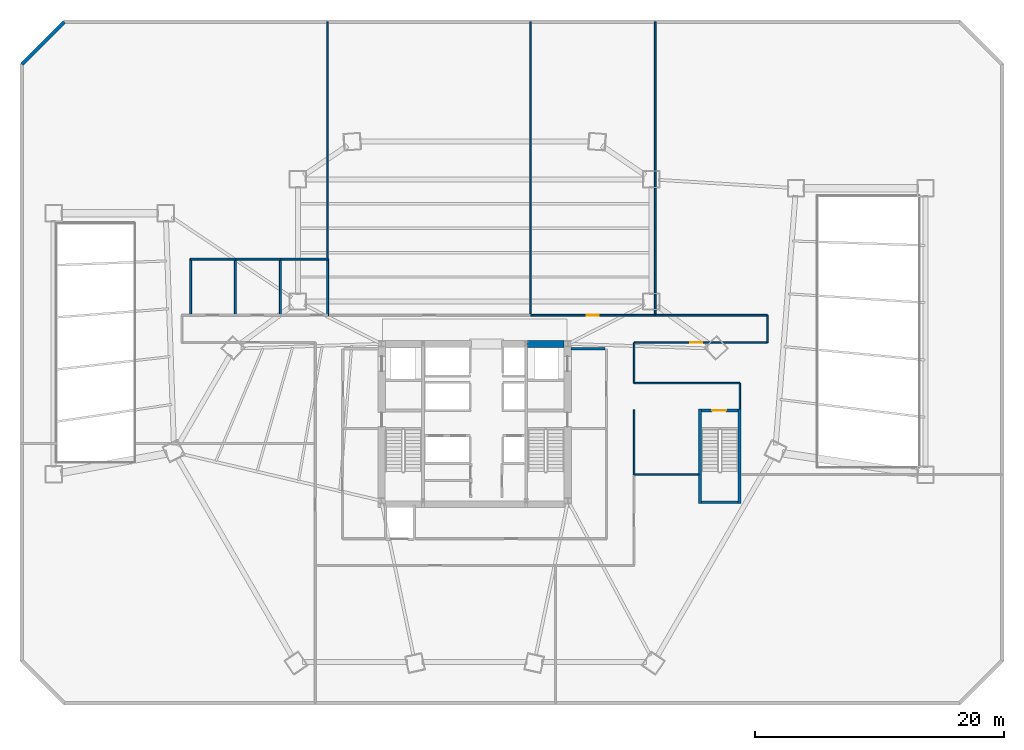
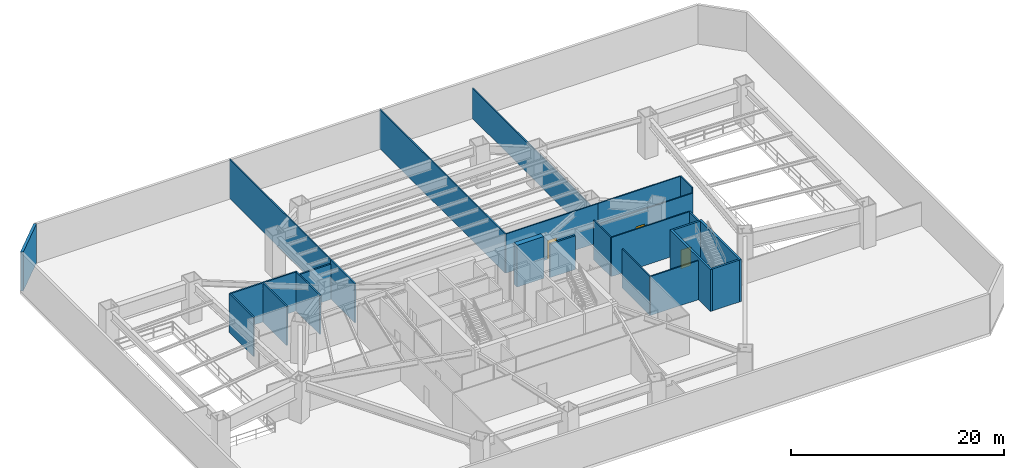
# One storey, part 7 of 11: 26 walls, 3 doors, 3 openings.
"""IFC4 building model written with IfcOpenShell, lengths in metres."""

import ifcopenshell
import ifcopenshell.guid

model = None  # the IFC model being written
_history = None  # IfcOwnerHistory: only IFC2X3 demands one
_inside = {}  # id of a spatial element -> (the spatial element, [elements in it])
_under = {}  # id of a project, library or spatial element -> (it, [spatial elements below it])
_declared = {}  # id of a project -> (the project, [libraries it declares])
_typed = {}  # id of a type object -> (the type object, [elements of that type])
_made_of = {}  # id of a material, layer set ... -> (it, [elements and type objects made of it])


def new_model(schema):
    """Start an empty IFC model of exactly this schema.

    Asked for "IFC4X3", IfcOpenShell would pick the latest addendum, in which some entities
    have other attributes; the version numbers below select the first issue.
    IFC2X3 requires an IfcOwnerHistory on every rooted entity: one is made here for all.
    """
    global model, _history
    if schema == "IFC4X3":
        model = ifcopenshell.file(schema_version=(4, 3, 0, 0))
    else:
        model = ifcopenshell.file(schema=schema)
    _inside.clear()
    _under.clear()
    _declared.clear()
    _typed.clear()
    _made_of.clear()
    _history = None
    if model.schema == "IFC2X3":
        org = make("IfcOrganization", Name="unknown")
        user = make(
            "IfcPersonAndOrganization",
            ThePerson=make("IfcPerson", FamilyName="unknown"),
            TheOrganization=org,
        )
        app = make(
            "IfcApplication",
            ApplicationDeveloper=org,
            Version="unknown",
            ApplicationFullName="unknown",
            ApplicationIdentifier="unknown",
        )
        _history = make(
            "IfcOwnerHistory",
            OwningUser=user,
            OwningApplication=app,
            ChangeAction="ADDED",
            CreationDate=0,
        )
    return model


def make(cls, **values):
    """One entity of the class cls with the attributes given. An attribute that is None is left unset."""
    return model.create_entity(
        cls, **{name: value for name, value in values.items() if value is not None}
    )


def rooted(cls, **values):
    """An entity with a GlobalId (a new one), such as an element, a storey or a relation."""
    return make(cls, GlobalId=ifcopenshell.guid.new(), OwnerHistory=_history, **values)


def si_unit(unit_type, name, prefix=None):
    """IfcSIUnit, for example si_unit("LENGTHUNIT", "METRE", prefix="MILLI")."""
    return make("IfcSIUnit", UnitType=unit_type, Prefix=prefix, Name=name)


def assignment(units):
    """IfcUnitAssignment: the units of a project."""
    return None if units is None else make("IfcUnitAssignment", Units=units)


def point(xyz):
    """IfcCartesianPoint."""
    return None if xyz is None else make("IfcCartesianPoint", Coordinates=xyz)


def direction(xyz):
    """IfcDirection."""
    return None if xyz is None else make("IfcDirection", DirectionRatios=xyz)


def frame(location, z_axis=None, x_axis=None):
    """IfcAxis2Placement3D, a coordinate frame: its origin and axes. An axis left out is left unset."""
    return make(
        "IfcAxis2Placement3D",
        Location=point(location),
        Axis=direction(z_axis),
        RefDirection=direction(x_axis),
    )


def frame_2d(location, x_axis=None):
    """IfcAxis2Placement2D, a coordinate frame in the plane: its origin and x axis."""
    return make(
        "IfcAxis2Placement2D", Location=point(location), RefDirection=direction(x_axis)
    )


def origin():
    """The frame at (0, 0, 0) with its axes left unset."""
    return frame((0.0, 0.0, 0.0))


def place(relative_to, where):
    """IfcLocalPlacement: puts the frame where relative to a parent placement (None: the world)."""
    return make(
        "IfcLocalPlacement", PlacementRelTo=relative_to, RelativePlacement=where
    )


def context(
    kind, dimensions, precision=None, world=None, true_north=None, identifier=None
):
    """IfcGeometricRepresentationContext, for example the 3D "Model" context."""
    return make(
        "IfcGeometricRepresentationContext",
        ContextIdentifier=identifier,
        ContextType=kind,
        CoordinateSpaceDimension=dimensions,
        Precision=precision,
        WorldCoordinateSystem=world,
        TrueNorth=true_north,
    )


def subcontext(parent, identifier, kind, view, scale=None):
    """IfcGeometricRepresentationSubContext, for example "Body" below "Model"."""
    return make(
        "IfcGeometricRepresentationSubContext",
        ContextIdentifier=identifier,
        ContextType=kind,
        ParentContext=parent,
        TargetScale=scale,
        TargetView=view,
    )


def project(units=None, contexts=None):
    """IfcProject with its units and contexts."""
    return rooted(
        "IfcProject",
        Name="project",
        RepresentationContexts=contexts,
        UnitsInContext=assignment(units),
    )


def spatial(cls, under=None, at=None, **own):
    """A site, building, storey or space (cls), placed at a placement, below another one or the project."""
    s = rooted(cls, ObjectPlacement=at, **own)
    if under is not None:
        _under.setdefault(under.id(), (under, []))[1].append(s)
    return s


def profile(cls, at=None, kind="AREA", **sizes):
    """A parametric profile (cls). Its sizes go by their IFC names, for example OverallWidth=200.0."""
    return make(cls, ProfileType=kind, Position=at, **sizes)


def rectangle(**sizes):
    """IfcRectangleProfileDef."""
    return profile("IfcRectangleProfileDef", **sizes)


def extrude(swept, where, along, depth):
    """IfcExtrudedAreaSolid: the profile swept, set in the frame where, extruded along a direction by depth."""
    return make(
        "IfcExtrudedAreaSolid",
        SweptArea=swept,
        Position=where,
        ExtrudedDirection=direction(along),
        Depth=depth,
    )


def shape(context_of_items, identifier, shape_type, items):
    """IfcShapeRepresentation: the items that make up one representation, for example the "Body"."""
    return make(
        "IfcShapeRepresentation",
        ContextOfItems=context_of_items,
        RepresentationIdentifier=identifier,
        RepresentationType=shape_type,
        Items=items,
    )


def material(Name=None, Category=None):
    """IfcMaterial."""
    return make("IfcMaterial", Name=Name, Category=Category)


def layer(
    of_material, thickness, ventilated=None, Name=None, Category=None, Priority=None
):
    """IfcMaterialLayer: one layer of a wall or slab, of a material (None: an air gap)."""
    return make(
        "IfcMaterialLayer",
        Material=of_material,
        LayerThickness=thickness,
        IsVentilated=ventilated,
        Name=Name,
        Category=Category,
        Priority=Priority,
    )


def layer_set(layers, Name=None):
    """IfcMaterialLayerSet."""
    return make("IfcMaterialLayerSet", MaterialLayers=layers, LayerSetName=Name)


def made_of(thing, what):
    """Note that an element or type object is made of a material, layer set ...; save() writes the relation."""
    if what is not None:
        _made_of.setdefault(what.id(), (what, []))[1].append(thing)
    return thing


def type_object(cls, material=None, **own):
    """A type object (cls), such as IfcWallType, which elements share."""
    return made_of(rooted(cls, **own), material)


def element(
    cls,
    number,
    at=None,
    inside=None,
    cuts=None,
    type_object=None,
    material=None,
    context=None,
    identifier="Body",
    shape_type=None,
    held_by="IfcProductDefinitionShape",
    body=None,
    shapes=None,
    **own,
):
    """One element of the class cls, such as IfcWall. Its Tag is "e" and its number.

    at: its placement. inside: the storey or other place that contains it. cuts: it is an
    opening in that element (IfcRelVoidsElement). A single representation is given by context,
    identifier, shape_type and body (its items); several are given by shapes. held_by: the class
    of the entity that holds the representations. save() writes the other relations.
    """
    e = rooted(cls, Tag="e%d" % number, ObjectPlacement=at, **own)
    if body is not None:
        shapes = [shape(context, identifier, shape_type, body)]
    if shapes is not None:
        e.Representation = make(held_by, Representations=shapes)
    if inside is not None:
        _inside.setdefault(inside.id(), (inside, []))[1].append(e)
    if cuts is not None:
        rooted(
            "IfcRelVoidsElement", RelatingBuildingElement=cuts, RelatedOpeningElement=e
        )
    if type_object is not None:
        _typed.setdefault(type_object.id(), (type_object, []))[1].append(e)
    return made_of(e, material)


def fill(opening, filler):
    """IfcRelFillsElement: the door or window that sits in an opening."""
    return rooted(
        "IfcRelFillsElement",
        RelatingOpeningElement=opening,
        RelatedBuildingElement=filler,
    )


def aggregate(whole, parts):
    """IfcRelAggregates: a whole, such as a stair, and the parts it consists of."""
    return rooted("IfcRelAggregates", RelatingObject=whole, RelatedObjects=parts)


def save(model, path):
    """Write the relations noted so far, then the file.

    IfcRelAggregates (storeys below a building ...), IfcRelContainedInSpatialStructure (elements
    in a storey), IfcRelDefinesByType, IfcRelAssociatesMaterial and IfcRelDeclares: one each for
    every whole, place, type object, material and project.
    """
    for whole, parts in _under.values():
        aggregate(whole, parts)
    for where, things in _inside.values():
        rooted(
            "IfcRelContainedInSpatialStructure",
            RelatedElements=things,
            RelatingStructure=where,
        )
    for kind, things in _typed.values():
        rooted("IfcRelDefinesByType", RelatedObjects=things, RelatingType=kind)
    for what, things in _made_of.values():
        rooted("IfcRelAssociatesMaterial", RelatedObjects=things, RelatingMaterial=what)
    for by, libraries in _declared.values():
        rooted("IfcRelDeclares", RelatingContext=by, RelatedDefinitions=libraries)
    model.write(path)


model = new_model("IFC4")

# Units and contexts
model_context = context("Model", 3, precision=1e-05, world=origin(), true_north=direction((0.0, 1.0)))
body_context = subcontext(model_context, "Body", "Model", "MODEL_VIEW")
ifc_project = project(units=[si_unit("LENGTHUNIT", "METRE"), si_unit("AREAUNIT", "SQUARE_METRE"), si_unit("VOLUMEUNIT", "CUBIC_METRE"), si_unit("PLANEANGLEUNIT", "RADIAN"), si_unit("MASSUNIT", "GRAM", prefix="KILO")], contexts=[model_context])

# Site, building, storey
site_placement = place(None, origin())
site = spatial("IfcSite", under=ifc_project, at=site_placement, CompositionType="ELEMENT")
building_placement = place(site_placement, origin())
building = spatial("IfcBuilding", under=site, at=building_placement, Name="Caelisora Broadcast Tower", CompositionType="ELEMENT")
storey_placement = place(building_placement, frame((0.0, 0.0, 5.39990234375)))
storey = spatial("IfcBuildingStorey", under=building, at=storey_placement, Name="L01", CompositionType="ELEMENT", Elevation=5.39990234375)

# Walls
ifc_material_1 = material(Name="Concrete 65 MPa (AS 3600 S65)", Category="concrete")
ifc_layer_1 = layer(ifc_material_1, 0.550048828125, Name="Concrete 65 MPa (AS 3600 S65)")
ifc_layer_set_1 = layer_set([ifc_layer_1], Name="Concrete 65 MPa (AS 3600 S65)")
wall_type_1 = type_object("IfcWallType", Name="CW4", PredefinedType="SHEAR", material=ifc_layer_set_1)
wall_1_placement = place(storey_placement, frame((42.260009765625, 30.0, 0.0), z_axis=(0.0, 0.0, 1.0), x_axis=(1.0, 0.0, 0.0)))
element("IfcWall", 1, at=wall_1_placement, inside=storey, type_object=wall_type_1, Name="L01 core shear wall CW4", PredefinedType="SHEAR", context=body_context, shape_type="SweptSolid", body=[
    extrude(rectangle(XDim=2.89990234375, YDim=0.550048828125, at=frame_2d((1.449951171875, 0.0))), origin(), (0.0, 0.0, 1.0), 4.800048828125),
])
ifc_material_2 = material(Name="Concrete 50 MPa (AS 3600 S50)", Category="concrete")
ifc_layer_2 = layer(ifc_material_2, 0.219970703125, Name="Concrete 50 MPa (AS 3600 S50)")
ifc_layer_set_2 = layer_set([ifc_layer_2], Name="Concrete 50 MPa (AS 3600 S50)")
wall_type_2 = type_object("IfcWallType", Name="CW7", PredefinedType="SHEAR", material=ifc_layer_set_2)
for number, where, z_axis, x_axis, name in (
    (2, (56.090087890625, 17.179931640625, 0.0), (0.0, 0.0, 1.0), (0.0, 1.0, 0.0), "L01 core shear wall CW7"),
    (3, (59.27001953125, 17.179931640625, 0.0), (0.0, 0.0, 1.0), (0.0, 1.0, 0.0), "L01 core shear wall CW7"),
):
    element("IfcWall", number, at=place(storey_placement, frame(where, z_axis=z_axis, x_axis=x_axis)), inside=storey, type_object=wall_type_2, Name=name, PredefinedType="SHEAR", context=body_context, shape_type="SweptSolid", body=[
        extrude(rectangle(XDim=7.580078125, YDim=0.219970703125, at=frame_2d((3.7900390625, 0.0))), origin(), (0.0, 0.0, 1.0), 4.800048828125),
    ])
wall_2_placement = place(storey_placement, frame((56.199951171875, 17.2900390625, 0.0), z_axis=(0.0, 0.0, 1.0), x_axis=(1.0, 0.0, 0.0)))
element("IfcWall", 4, at=wall_2_placement, inside=storey, type_object=wall_type_2, Name="L01 core shear wall CW7", PredefinedType="SHEAR", context=body_context, shape_type="SweptSolid", body=[
    extrude(rectangle(XDim=2.9599609375, YDim=0.219970703125, at=frame_2d((1.47998046875, 0.0))), origin(), (0.0, 0.0, 1.0), 4.800048828125),
])

# Wall, opening, door
wall_3_placement = place(storey_placement, frame((56.199951171875, 24.64990234375, 0.0), z_axis=(0.0, 0.0, 1.0), x_axis=(1.0, 0.0, 0.0)))
wall_3 = element("IfcWall", 5, at=wall_3_placement, inside=storey, type_object=wall_type_2, Name="L01 core shear wall CW7", PredefinedType="SHEAR", context=body_context, shape_type="SweptSolid", body=[
    extrude(rectangle(XDim=2.9599609375, YDim=0.219970703125, at=frame_2d((1.47998046875, 0.0))), origin(), (0.0, 0.0, 1.0), 4.800048828125),
])
opening_1_placement = place(wall_3_placement, frame((0.8701171875, 0.0, 0.0)))
opening_1 = element("IfcOpeningElement", 6, at=opening_1_placement, cuts=wall_3, Name="Opening FD04", PredefinedType="OPENING", context=body_context, shape_type="SweptSolid", body=[
    extrude(rectangle(XDim=1.1201171875, YDim=2.14990234375, at=frame_2d((0.56005859375, 1.074951171875))), frame((0.0, 0.1220703125, 0.0), z_axis=(0.0, -1.0, 0.0), x_axis=(1.0, 0.0, 0.0)), (0.0, 0.0, 1.0), 0.243896484375),
])
ifc_material_3 = material(Name="Pressurised Fire-Isolated Stair Door", Category="steel")
door_type_1 = type_object("IfcDoorType", Name="FD04", OperationType="NOTDEFINED", PredefinedType="DOOR", material=ifc_material_3)
door_1_placement = place(opening_1_placement, origin())
door_1 = element("IfcDoor", 7, at=door_1_placement, inside=storey, type_object=door_type_1, Name="L01 door FD04 (L01-DR-ST3)", OperationType="SINGLE_SWING_LEFT", OverallHeight=2.14990234375, OverallWidth=1.1201171875, PredefinedType="DOOR", context=body_context, shape_type="SweptSolid", body=[
    extrude(rectangle(XDim=1.1201171875, YDim=2.14990234375, at=frame_2d((0.56005859375, 1.074951171875))), frame((0.0, 0.02490234375, 0.0), z_axis=(0.0, -1.0, 0.0), x_axis=(1.0, 0.0, 0.0)), (0.0, 0.0, 1.0), 0.050048828125),
])
fill(opening_1, door_1)

# Walls
ifc_material_4 = material(Name="Insulated Terracotta Spandrel Wall System", Category="masonry")
ifc_layer_3 = layer(ifc_material_4, 0.280029296875, Name="Insulated Terracotta Spandrel Wall System")
ifc_layer_set_3 = layer_set([ifc_layer_3], Name="Insulated Terracotta Spandrel Wall System")
wall_type_3 = type_object("IfcWallType", Name="EW1", PredefinedType="STANDARD", material=ifc_layer_set_3)
wall_4_placement = place(storey_placement, frame((1.659912109375, 52.43408203125, 0.0), z_axis=(0.0, 0.0, 1.0), x_axis=(0.707106781187, 0.707106781187, 0.0)))
element("IfcWall", 8, at=wall_4_placement, inside=storey, type_object=wall_type_3, Name="L01 exterior envelope wall EW1", PredefinedType="STANDARD", context=body_context, shape_type="SweptSolid", body=[
    extrude(rectangle(XDim=4.81689453125, YDim=0.280029296875, at=frame_2d((2.408447265625, 0.0))), origin(), (0.0, 0.0, 1.0), 4.47998046875),
])
ifc_material_5 = material(Name="Fire-Rated Gypsum Shaft and Compartment Wall", Category="gypsum")
ifc_layer_4 = layer(ifc_material_5, 0.179931640625, Name="Fire-Rated Gypsum Shaft and Compartment Wall")
ifc_layer_set_4 = layer_set([ifc_layer_4], Name="Fire-Rated Gypsum Shaft and Compartment Wall")
wall_type_4 = type_object("IfcWallType", Name="PW2", PredefinedType="PARTITIONING", material=ifc_layer_set_4)
wall_5_placement = place(storey_placement, frame((45.719970703125, 29.60009765625, 0.0), z_axis=(0.0, 0.0, 1.0), x_axis=(1.0, 0.0, 0.0)))
element("IfcWall", 9, at=wall_5_placement, inside=storey, type_object=wall_type_4, Name="L01 fire compartment wall PW2", PredefinedType="PARTITIONING", context=body_context, shape_type="SweptSolid", body=[
    extrude(rectangle(XDim=2.760009765625, YDim=0.179931640625, at=frame_2d((1.3798828125, 0.0))), origin(), (0.0, 0.0, 1.0), 3.853515625),
])
ifc_material_6 = material(Name="Acoustic Steel-Stud Plasterboard Partition", Category="gypsum")
ifc_layer_5 = layer(ifc_material_6, 0.1298828125, Name="Acoustic Steel-Stud Plasterboard Partition")
ifc_layer_set_5 = layer_set([ifc_layer_5], Name="Acoustic Steel-Stud Plasterboard Partition")
wall_type_5 = type_object("IfcWallType", Name="PW3", PredefinedType="PARTITIONING", material=ifc_layer_set_5)
wall_6_placement = place(storey_placement, frame((52.5, 32.304931640625, 0.0), z_axis=(0.0, 0.0, 1.0), x_axis=(0.0, 1.0, 0.0)))
element("IfcWall", 10, at=wall_6_placement, inside=storey, type_object=wall_type_5, Name="L01 internal partition PW3", PredefinedType="PARTITIONING", context=body_context, shape_type="SweptSolid", body=[
    extrude(rectangle(XDim=23.53515625, YDim=0.1298828125, at=frame_2d((11.767578125, 0.0))), origin(), (0.0, 0.0, 1.0), 3.465087890625),
])
wall_7_placement = place(storey_placement, frame((42.5, 32.304931640625, 0.0), z_axis=(0.0, 0.0, 1.0), x_axis=(0.0, 1.0, 0.0)))
element("IfcWall", 11, at=wall_7_placement, inside=storey, type_object=wall_type_5, Name="L01 internal partition PW3", PredefinedType="PARTITIONING", context=body_context, shape_type="SweptSolid", body=[
    extrude(rectangle(XDim=23.53515625, YDim=0.1298828125, at=frame_2d((11.767578125, 0.0))), origin(), (0.0, 0.0, 1.0), 4.47998046875),
])
wall_8_placement = place(storey_placement, frame((26.199951171875, 36.804931640625, 0.0), z_axis=(0.0, 0.0, 1.0), x_axis=(0.0, 1.0, 0.0)))
element("IfcWall", 12, at=wall_8_placement, inside=storey, type_object=wall_type_5, Name="L01 internal partition PW3", PredefinedType="PARTITIONING", context=body_context, shape_type="SweptSolid", body=[
    extrude(rectangle(XDim=19.03515625, YDim=0.1298828125, at=frame_2d((9.517578125, 0.0))), origin(), (0.0, 0.0, 1.0), 4.47998046875),
])

# Wall, opening, door
wall_9_placement = place(storey_placement, frame((61.4951171875, 30.10009765625, 0.0), z_axis=(0.0, 0.0, 1.0), x_axis=(-1.0, 0.0, 0.0)))
wall_9 = element("IfcWall", 13, at=wall_9_placement, inside=storey, type_object=wall_type_5, Name="L01 internal partition PW3", PredefinedType="PARTITIONING", context=body_context, shape_type="SweptSolid", body=[
    extrude(rectangle(XDim=10.690185546875, YDim=0.1298828125, at=frame_2d((5.34521484375, 0.0))), origin(), (0.0, 0.0, 1.0), 3.853515625),
])
opening_2_placement = place(wall_9_placement, frame((5.219970703125, 0.0, 0.0)))
opening_2 = element("IfcOpeningElement", 14, at=opening_2_placement, cuts=wall_9, Name="Opening D01", PredefinedType="OPENING", context=body_context, shape_type="SweptSolid", body=[
    extrude(rectangle(XDim=0.9599609375, YDim=2.14990234375, at=frame_2d((0.47998046875, 1.074951171875))), frame((0.0, 0.076904296875, 0.0), z_axis=(0.0, -1.0, 0.0), x_axis=(1.0, 0.0, 0.0)), (0.0, 0.0, 1.0), 0.15380859375),
])
ifc_material_7 = material(Name="Solid-Core Timber Acoustic Office Door", Category="wood")
door_type_2 = type_object("IfcDoorType", Name="D01", OperationType="NOTDEFINED", PredefinedType="DOOR", material=ifc_material_7)
door_2_placement = place(opening_2_placement, origin())
door_2 = element("IfcDoor", 15, at=door_2_placement, inside=storey, type_object=door_type_2, Name="L01 door D01 (L01-DR-P34D1)", OperationType="SINGLE_SWING_LEFT", OverallHeight=2.14990234375, OverallWidth=0.9599609375, PredefinedType="DOOR", context=body_context, shape_type="SweptSolid", body=[
    extrude(rectangle(XDim=0.9599609375, YDim=2.14990234375, at=frame_2d((0.47998046875, 1.074951171875))), frame((0.0, 0.02490234375, 0.0), z_axis=(0.0, -1.0, 0.0), x_axis=(1.0, 0.0, 0.0)), (0.0, 0.0, 1.0), 0.050048828125),
])
fill(opening_2, door_2)

wall_10_placement = place(storey_placement, frame((42.5048828125, 32.300048828125, 0.0), z_axis=(0.0, 0.0, 1.0), x_axis=(1.0, 0.0, 0.0)))
wall_10 = element("IfcWall", 16, at=wall_10_placement, inside=storey, type_object=wall_type_5, Name="L01 internal partition PW3", PredefinedType="PARTITIONING", context=body_context, shape_type="SweptSolid", body=[
    extrude(rectangle(XDim=9.990234375, YDim=0.1298828125, at=frame_2d((4.9951171875, 0.0))), origin(), (0.0, 0.0, 1.0), 4.47998046875),
])
opening_3_placement = place(wall_10_placement, frame((4.514892578125, 0.0, 0.0)))
opening_3 = element("IfcOpeningElement", 17, at=opening_3_placement, cuts=wall_10, Name="Opening D01", PredefinedType="OPENING", context=body_context, shape_type="SweptSolid", body=[
    extrude(rectangle(XDim=0.9599609375, YDim=2.14990234375, at=frame_2d((0.47998046875, 1.074951171875))), frame((0.0, 0.076904296875, 0.0), z_axis=(0.0, -1.0, 0.0), x_axis=(1.0, 0.0, 0.0)), (0.0, 0.0, 1.0), 0.15380859375),
])
door_3_placement = place(opening_3_placement, origin())
door_3 = element("IfcDoor", 18, at=door_3_placement, inside=storey, type_object=door_type_2, Name="L01 door D01 (L01-DR-P37D1)", OperationType="SINGLE_SWING_LEFT", OverallHeight=2.14990234375, OverallWidth=0.9599609375, PredefinedType="DOOR", context=body_context, shape_type="SweptSolid", body=[
    extrude(rectangle(XDim=0.9599609375, YDim=2.14990234375, at=frame_2d((0.47998046875, 1.074951171875))), frame((0.0, 0.02490234375, 0.0), z_axis=(0.0, -1.0, 0.0), x_axis=(1.0, 0.0, 0.0)), (0.0, 0.0, 1.0), 0.050048828125),
])
fill(opening_3, door_3)

# Walls
wall_11_placement = place(storey_placement, frame((52.5048828125, 32.300048828125, 0.0), z_axis=(0.0, 0.0, 1.0), x_axis=(1.0, 0.0, 0.0)))
element("IfcWall", 19, at=wall_11_placement, inside=storey, type_object=wall_type_5, Name="L01 internal partition PW3", PredefinedType="PARTITIONING", context=body_context, shape_type="SweptSolid", body=[
    extrude(rectangle(XDim=8.990234375, YDim=0.1298828125, at=frame_2d((4.4951171875, 0.0))), origin(), (0.0, 0.0, 1.0), 4.47998046875),
])
wall_12_placement = place(storey_placement, frame((50.804931640625, 26.85009765625, 0.0), z_axis=(0.0, 0.0, 1.0), x_axis=(1.0, 0.0, 0.0)))
element("IfcWall", 20, at=wall_12_placement, inside=storey, type_object=wall_type_5, Name="L01 internal partition PW3", PredefinedType="PARTITIONING", context=body_context, shape_type="SweptSolid", body=[
    extrude(rectangle(XDim=8.489990234375, YDim=0.1298828125, at=frame_2d((4.2451171875, 0.0))), origin(), (0.0, 0.0, 1.0), 4.47998046875),
])
wall_13_placement = place(storey_placement, frame((50.804931640625, 19.5, 0.0), z_axis=(0.0, 0.0, 1.0), x_axis=(1.0, 0.0, 0.0)))
element("IfcWall", 21, at=wall_13_placement, inside=storey, type_object=wall_type_5, Name="L01 internal partition PW3", PredefinedType="PARTITIONING", context=body_context, shape_type="SweptSolid", body=[
    extrude(rectangle(XDim=5.170166015625, YDim=0.1298828125, at=frame_2d((2.5849609375, 0.0))), origin(), (0.0, 0.0, 1.0), 4.47998046875),
])
wall_14_placement = place(storey_placement, frame((50.800048828125, 24.695068359375, 0.0), z_axis=(0.0, 0.0, 1.0), x_axis=(0.0, -1.0, 0.0)))
element("IfcWall", 22, at=wall_14_placement, inside=storey, type_object=wall_type_5, Name="L01 internal partition PW3", PredefinedType="PARTITIONING", context=body_context, shape_type="SweptSolid", body=[
    extrude(rectangle(XDim=5.190185546875, YDim=0.1298828125, at=frame_2d((2.59521484375, 0.0))), origin(), (0.0, 0.0, 1.0), 4.47998046875),
])
wall_15_placement = place(storey_placement, frame((50.800048828125, 30.094970703125, 0.0), z_axis=(0.0, 0.0, 1.0), x_axis=(0.0, -1.0, 0.0)))
element("IfcWall", 23, at=wall_15_placement, inside=storey, type_object=wall_type_5, Name="L01 internal partition PW3", PredefinedType="PARTITIONING", context=body_context, shape_type="SweptSolid", body=[
    extrude(rectangle(XDim=3.239990234375, YDim=0.1298828125, at=frame_2d((1.6201171875, 0.0))), origin(), (0.0, 0.0, 1.0), 4.47998046875),
])
wall_16_placement = place(storey_placement, frame((61.5, 32.294921875, 0.0), z_axis=(0.0, 0.0, 1.0), x_axis=(0.0, -1.0, 0.0)))
element("IfcWall", 24, at=wall_16_placement, inside=storey, type_object=wall_type_5, Name="L01 internal partition PW3", PredefinedType="PARTITIONING", context=body_context, shape_type="SweptSolid", body=[
    extrude(rectangle(XDim=2.18994140625, YDim=0.1298828125, at=frame_2d((1.094970703125, 0.0))), origin(), (0.0, 0.0, 1.0), 4.47998046875),
])
wall_17_placement = place(storey_placement, frame((59.300048828125, 26.844970703125, 0.0), z_axis=(0.0, 0.0, 1.0), x_axis=(0.0, -1.0, 0.0)))
element("IfcWall", 25, at=wall_17_placement, inside=storey, type_object=wall_type_5, Name="L01 internal partition PW3", PredefinedType="PARTITIONING", context=body_context, shape_type="SweptSolid", body=[
    extrude(rectangle(XDim=2.070068359375, YDim=0.1298828125, at=frame_2d((1.03515625, 0.0))), origin(), (0.0, 0.0, 1.0), 4.47998046875),
])
ifc_material_8 = material(Name="Moisture-Resistant Wet Plumbing Service Wall", Category="gypsum")
ifc_layer_6 = layer(ifc_material_8, 0.159912109375, Name="Moisture-Resistant Wet Plumbing Service Wall")
ifc_layer_set_6 = layer_set([ifc_layer_6], Name="Moisture-Resistant Wet Plumbing Service Wall")
wall_type_6 = type_object("IfcWallType", Name="PW4", PredefinedType="PLUMBINGWALL", material=ifc_layer_set_6)
for number, where, z_axis, x_axis, name in (
    (26, (15.199951171875, 32.27490234375, 0.0), (0.0, 0.0, 1.0), (0.0, 1.0, 0.0), "L01 wet plumbing wall PW4"),
    (27, (18.800048828125, 32.27490234375, 0.0), (0.0, 0.0, 1.0), (0.0, 1.0, 0.0), "L01 wet plumbing wall PW4"),
    (28, (22.39990234375, 32.27490234375, 0.0), (0.0, 0.0, 1.0), (0.0, 1.0, 0.0), "L01 wet plumbing wall PW4"),
    (29, (26.199951171875, 32.27490234375, 0.0), (0.0, 0.0, 1.0), (0.0, 1.0, 0.0), "L01 wet plumbing wall PW4"),
):
    element("IfcWall", number, at=place(storey_placement, frame(where, z_axis=z_axis, x_axis=x_axis)), inside=storey, type_object=wall_type_6, Name=name, PredefinedType="PLUMBINGWALL", context=body_context, shape_type="SweptSolid", body=[
        extrude(rectangle(XDim=4.550048828125, YDim=0.159912109375, at=frame_2d((2.27490234375, 0.0))), origin(), (0.0, 0.0, 1.0), 4.47998046875),
    ])
wall_18_placement = place(storey_placement, frame((22.375, 36.800048828125, 0.0), z_axis=(0.0, 0.0, 1.0), x_axis=(1.0, 0.0, 0.0)))
element("IfcWall", 30, at=wall_18_placement, inside=storey, type_object=wall_type_6, Name="L01 wet plumbing wall PW4", PredefinedType="PLUMBINGWALL", context=body_context, shape_type="SweptSolid", body=[
    extrude(rectangle(XDim=3.85009765625, YDim=0.159912109375, at=frame_2d((1.925048828125, 0.0))), origin(), (0.0, 0.0, 1.0), 4.05859375),
])
wall_19_placement = place(storey_placement, frame((15.175048828125, 36.800048828125, 0.0), z_axis=(0.0, 0.0, 1.0), x_axis=(1.0, 0.0, 0.0)))
element("IfcWall", 31, at=wall_19_placement, inside=storey, type_object=wall_type_6, Name="L01 wet plumbing wall PW4", PredefinedType="PLUMBINGWALL", context=body_context, shape_type="SweptSolid", body=[
    extrude(rectangle(XDim=3.64990234375, YDim=0.159912109375, at=frame_2d((1.824951171875, 0.0))), origin(), (0.0, 0.0, 1.0), 4.47998046875),
])
wall_20_placement = place(storey_placement, frame((18.77490234375, 36.800048828125, 0.0), z_axis=(0.0, 0.0, 1.0), x_axis=(1.0, 0.0, 0.0)))
element("IfcWall", 32, at=wall_20_placement, inside=storey, type_object=wall_type_6, Name="L01 wet plumbing wall PW4", PredefinedType="PLUMBINGWALL", context=body_context, shape_type="SweptSolid", body=[
    extrude(rectangle(XDim=3.650146484375, YDim=0.159912109375, at=frame_2d((1.8251953125, 0.0))), origin(), (0.0, 0.0, 1.0), 4.47998046875),
])

save(model, "model.ifc")
